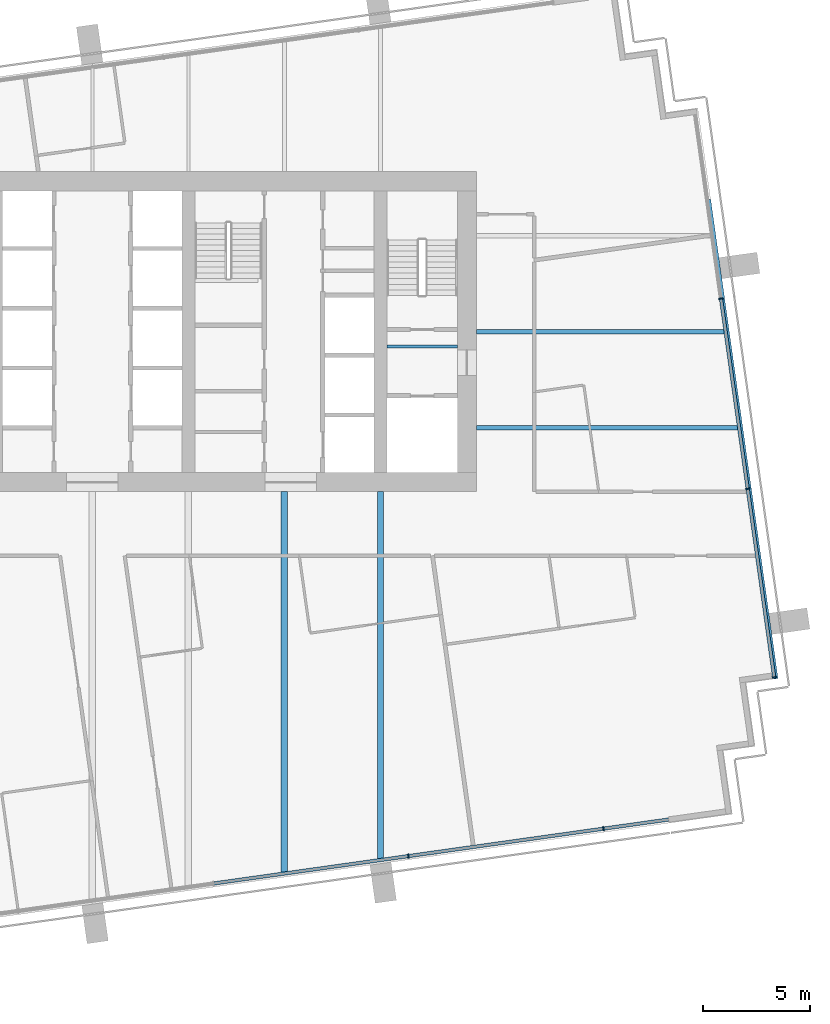
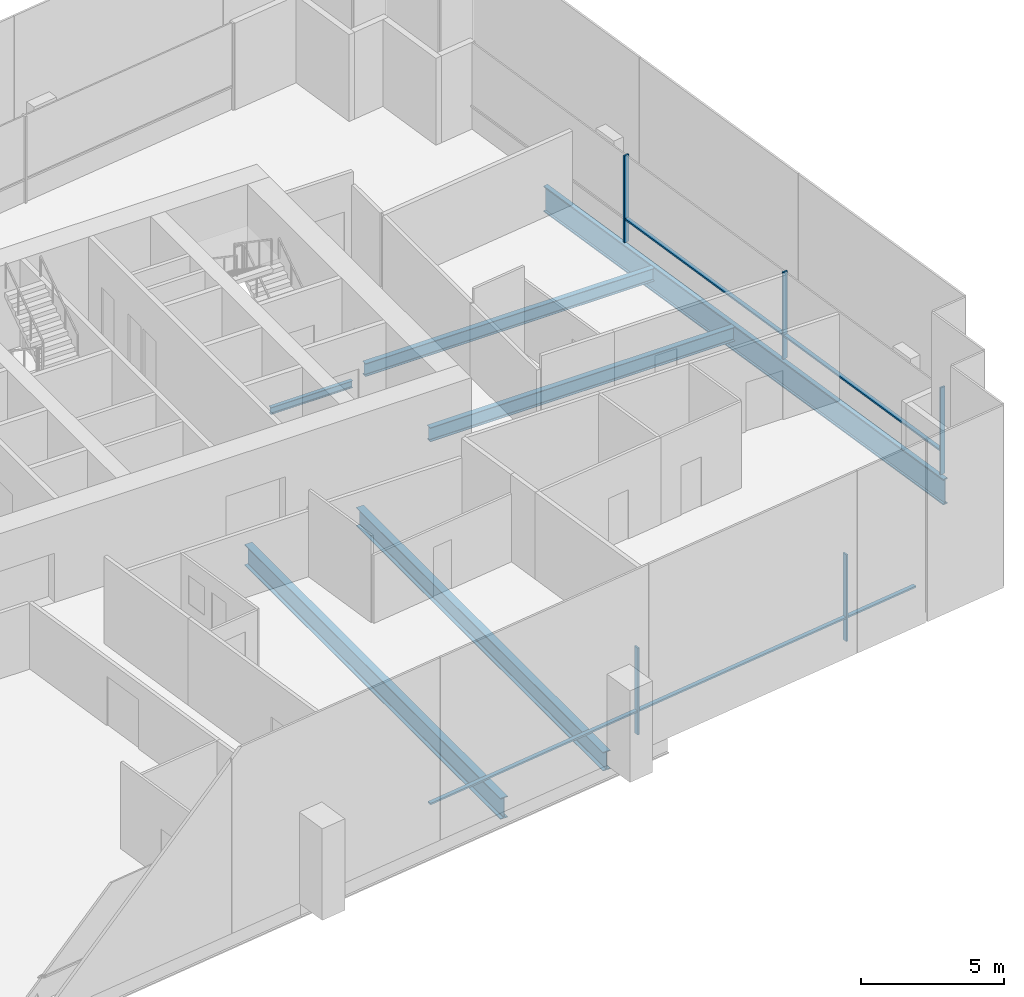
# One storey, part 5 of 17: 10 members, 6 beams, 2 elements without a shape of their own.
"""IFC4 building model written with IfcOpenShell, lengths in metres."""

from ifc_helpers import new_model, si_unit, direction, frame, origin, origin_2d, place, context, subcontext, project, spatial, rectangle, i_section, extrude, material, layer, layer_set, material_profile, profile_set, type_object, element, aggregate, save


model = new_model("IFC4")

# Units and contexts
model_context = context("Model", 3, precision=1e-05, world=origin(), true_north=direction((0.0, 1.0)))
body_context = subcontext(model_context, "Body", "Model", "MODEL_VIEW")
ifc_project = project(units=[si_unit("LENGTHUNIT", "METRE"), si_unit("AREAUNIT", "SQUARE_METRE"), si_unit("VOLUMEUNIT", "CUBIC_METRE"), si_unit("PLANEANGLEUNIT", "RADIAN"), si_unit("MASSUNIT", "GRAM", prefix="KILO")], contexts=[model_context])

# Site, building, storey
site_placement = place(None, origin())
site = spatial("IfcSite", under=ifc_project, at=site_placement, CompositionType="ELEMENT")
building_placement = place(site_placement, origin())
building = spatial("IfcBuilding", under=site, at=building_placement, Name="Rattan Terrace Tower", CompositionType="ELEMENT")
storey_placement = place(building_placement, frame((0.0, 0.0, 225.199951171875)))
storey = spatial("IfcBuildingStorey", under=building, at=storey_placement, Name="L51", CompositionType="ELEMENT", Elevation=225.199951171875)

# Beams
ifc_material_1 = material(Name="Steel S460", Category="steel")
ifc_material_profile_1 = material_profile(ifc_material_1, i_section(OverallWidth=0.179931640625, OverallDepth=1.10009765625, WebThickness=0.01611328125, FlangeThickness=0.050048828125, at=origin_2d()), Name="PG 1100x180-16-50")
ifc_profile_set_1 = profile_set([ifc_material_profile_1], Name="Steel S460")
beam_type_1 = type_object("IfcBeamType", Name="Frame edge girder PG 1100x180-16-50", PredefinedType="SPANDREL", material=ifc_profile_set_1)
beam_1_placement = place(storey_placement, frame((28.883056640625, 6.18505859375, -0.75), z_axis=(0.139138162292, -0.990272978423, 0.0), x_axis=(0.990272978423, 0.139138162292, 0.0)))
element("IfcBeam", 1, at=beam_1_placement, inside=storey, type_object=beam_type_1, Name="gdr-L51-004", PredefinedType="SPANDREL", context=body_context, shape_type="SweptSolid", body=[
    extrude(i_section(OverallWidth=0.179931640625, OverallDepth=1.10009765625, WebThickness=0.01611328125, FlangeThickness=0.050048828125, at=origin_2d()), origin(), (0.0, 0.0, 1.0), 22.66845703125),
])
ifc_material_2 = material(Name="Steel S355", Category="steel")
ifc_material_profile_2 = material_profile(ifc_material_2, i_section(OverallWidth=0.300048828125, OverallDepth=0.800048828125, WebThickness=0.017578125, FlangeThickness=0.032958984375, FilletRadius=0.030029296875, at=origin_2d()), Name="HE 800 B")
ifc_profile_set_2 = profile_set([ifc_material_profile_2], Name="Steel S355")
beam_type_2 = type_object("IfcBeamType", Name="Frame floor beam HE 800 B", PredefinedType="JOIST", material=ifc_profile_set_2)
beam_2_placement = place(storey_placement, frame((13.5, -24.72509765625, -0.599853515625), z_axis=(0.0, 1.0, 0.0), x_axis=(-1.0, 0.0, 0.0)))
element("IfcBeam", 2, at=beam_2_placement, inside=storey, type_object=beam_type_2, Name="bm-L51-008", PredefinedType="JOIST", context=body_context, shape_type="SweptSolid", body=[
    extrude(i_section(OverallWidth=0.300048828125, OverallDepth=0.800048828125, WebThickness=0.017578125, FlangeThickness=0.032958984375, FilletRadius=0.030029296875, at=origin_2d()), origin(), (0.0, 0.0, 1.0), 17.22509765625),
])
ifc_material_3 = material(Name="Steel S355", Category="steel")
ifc_material_profile_3 = material_profile(ifc_material_3, i_section(OverallWidth=0.300048828125, OverallDepth=0.89990234375, WebThickness=0.0185546875, FlangeThickness=0.034912109375, FilletRadius=0.030029296875, at=origin_2d()), Name="HE 900 B")
ifc_profile_set_3 = profile_set([ifc_material_profile_3], Name="Steel S355")
beam_type_3 = type_object("IfcBeamType", Name="Frame floor beam HE 900 B", PredefinedType="JOIST", material=ifc_profile_set_3)
beam_3_placement = place(storey_placement, frame((9.0, -25.35693359375, -0.64990234375), z_axis=(0.0, 1.0, 0.0), x_axis=(-1.0, 0.0, 0.0)))
element("IfcBeam", 3, at=beam_3_placement, inside=storey, type_object=beam_type_3, Name="bm-L51-007", PredefinedType="JOIST", context=body_context, shape_type="SweptSolid", body=[
    extrude(i_section(OverallWidth=0.300048828125, OverallDepth=0.89990234375, WebThickness=0.0185546875, FlangeThickness=0.034912109375, FilletRadius=0.030029296875, at=origin_2d()), origin(), (0.0, 0.0, 1.0), 17.85693359375),
])
ifc_material_4 = material(Name="Steel S355", Category="steel")
ifc_material_profile_4 = material_profile(ifc_material_4, i_section(OverallWidth=0.14990234375, OverallDepth=0.300048828125, WebThickness=0.007080078125, FlangeThickness=0.0107421875, FilletRadius=0.014892578125, at=origin_2d()), Name="IPE 300")
ifc_profile_set_4 = profile_set([ifc_material_profile_4], Name="Steel S355")
beam_type_4 = type_object("IfcBeamType", Name="Frame floor beam IPE 300", PredefinedType="JOIST", material=ifc_profile_set_4)
beam_4_placement = place(storey_placement, frame((13.800048828125, -0.695068359375, -0.349853515625), z_axis=(1.0, 0.0, 0.0), x_axis=(0.0, 1.0, 0.0)))
element("IfcBeam", 4, at=beam_4_placement, inside=storey, type_object=beam_type_4, Name="bm-L51-002", PredefinedType="JOIST", context=body_context, shape_type="SweptSolid", body=[
    extrude(i_section(OverallWidth=0.14990234375, OverallDepth=0.300048828125, WebThickness=0.007080078125, FlangeThickness=0.0107421875, FilletRadius=0.014892578125, at=origin_2d()), origin(), (0.0, 0.0, 1.0), 3.300048828125),
])
ifc_material_5 = material(Name="Steel S355", Category="steel")
ifc_material_profile_5 = material_profile(ifc_material_5, i_section(OverallWidth=0.2099609375, OverallDepth=0.550048828125, WebThickness=0.010986328125, FlangeThickness=0.01708984375, FilletRadius=0.02392578125, at=origin_2d()), Name="IPE 550")
ifc_profile_set_5 = profile_set([ifc_material_profile_5], Name="Steel S355")
beam_type_5 = type_object("IfcBeamType", Name="Frame floor beam IPE 550", PredefinedType="JOIST", material=ifc_profile_set_5)
beam_5_placement = place(storey_placement, frame((18.0, 0.0, -0.474853515625), z_axis=(1.0, 0.0, 0.0), x_axis=(0.0, 1.0, 0.0)))
element("IfcBeam", 5, at=beam_5_placement, inside=storey, type_object=beam_type_5, Name="bm-L51-012", PredefinedType="JOIST", context=body_context, shape_type="SweptSolid", body=[
    extrude(i_section(OverallWidth=0.2099609375, OverallDepth=0.550048828125, WebThickness=0.010986328125, FlangeThickness=0.01708984375, FilletRadius=0.02392578125, at=origin_2d()), origin(), (0.0, 0.0, 1.0), 11.64599609375),
])
ifc_material_6 = material(Name="Steel S355", Category="steel")
ifc_material_profile_6 = material_profile(ifc_material_6, i_section(OverallWidth=0.219970703125, OverallDepth=0.60009765625, WebThickness=0.011962890625, FlangeThickness=0.01904296875, FilletRadius=0.02392578125, at=origin_2d()), Name="IPE 600")
ifc_profile_set_6 = profile_set([ifc_material_profile_6], Name="Steel S355")
beam_type_6 = type_object("IfcBeamType", Name="Frame floor beam IPE 600", PredefinedType="JOIST", material=ifc_profile_set_6)
beam_6_placement = place(storey_placement, frame((18.0, -4.5, -0.5), z_axis=(1.0, 0.0, 0.0), x_axis=(0.0, 1.0, 0.0)))
element("IfcBeam", 6, at=beam_6_placement, inside=storey, type_object=beam_type_6, Name="bm-L51-010", PredefinedType="JOIST", context=body_context, shape_type="SweptSolid", body=[
    extrude(i_section(OverallWidth=0.219970703125, OverallDepth=0.60009765625, WebThickness=0.011962890625, FlangeThickness=0.01904296875, FilletRadius=0.02392578125, at=origin_2d()), origin(), (0.0, 0.0, 1.0), 12.278076171875),
])

# Curtain wall, members
ifc_material_7 = material(Name="Aluminium and laminated glass", Category="aluminium")
ifc_layer = layer(ifc_material_7, 0.199951171875)
ifc_layer_set = layer_set([ifc_layer], Name="High-Zone Unitised Curtain Wall")
curtain_wall_type = type_object("IfcCurtainWallType", Name="High-Zone Unitised Curtain Wall", PredefinedType="NOTDEFINED", material=ifc_layer_set)
curtain_wall_1_placement = place(storey_placement, origin())
curtain_wall_1 = element("IfcCurtainWall", 7, at=curtain_wall_1_placement, inside=storey, type_object=curtain_wall_type, Name="High-zone curtain wall L51-1", PredefinedType="NOTDEFINED")
ifc_material_8 = material(Name="Aluminium", Category="aluminium")
ifc_material_profile_7 = material_profile(ifc_material_8, rectangle(XDim=0.070068359375, YDim=0.199951171875, at=origin_2d()), Name="Aluminium 70x200")
ifc_profile_set_7 = profile_set([ifc_material_profile_7], Name="Aluminium")
member_type_1 = type_object("IfcMemberType", Name="High-Zone CW Mullion 70x200", PredefinedType="MULLION", material=ifc_profile_set_7)
member_1_placement = place(storey_placement, frame((31.946533203125, -16.1943359375, 0.0), z_axis=(0.0, 0.0, 1.0), x_axis=(-0.139186165309, 0.990266232579, 0.0)))
member_1 = element("IfcMember", 8, at=member_1_placement, type_object=member_type_1, Name="Mullion cwl-L51-001.1", PredefinedType="MULLION", context=body_context, shape_type="SweptSolid", body=[
    extrude(rectangle(XDim=0.070068359375, YDim=0.199951171875, at=origin_2d()), origin(), (0.0, 0.0, 1.0), 3.699951171875),
])
member_2_placement = place(storey_placement, frame((30.705078125, -7.361328125, 0.0), z_axis=(0.0, 0.0, 1.0), x_axis=(-0.139186165309, 0.990266232579, 0.0)))
member_2 = element("IfcMember", 9, at=member_2_placement, type_object=member_type_1, Name="Mullion cwl-L51-001.2", PredefinedType="MULLION", context=body_context, shape_type="SweptSolid", body=[
    extrude(rectangle(XDim=0.070068359375, YDim=0.199951171875, at=origin_2d()), origin(), (0.0, 0.0, 1.0), 3.699951171875),
])
member_3_placement = place(storey_placement, frame((29.452392578125, 1.551025390625, 0.0), z_axis=(0.0, 0.0, 1.0), x_axis=(-0.139186165309, 0.990266232579, 0.0)))
member_3 = element("IfcMember", 10, at=member_3_placement, type_object=member_type_1, Name="Mullion cwl-L51-001.3", PredefinedType="MULLION", context=body_context, shape_type="SweptSolid", body=[
    extrude(rectangle(XDim=0.070068359375, YDim=0.199951171875, at=origin_2d()), origin(), (0.0, 0.0, 1.0), 3.699951171875),
])

curtain_wall_2_placement = place(storey_placement, origin())
curtain_wall_2 = element("IfcCurtainWall", 11, at=curtain_wall_2_placement, inside=storey, type_object=curtain_wall_type, Name="High-zone curtain wall L51-4", PredefinedType="NOTDEFINED")
member_4_placement = place(storey_placement, frame((14.808837890625, -24.571533203125, 0.0), z_axis=(0.0, 0.0, 1.0), x_axis=(0.990267457022, 0.139177453499, 0.0)))
member_4 = element("IfcMember", 12, at=member_4_placement, type_object=member_type_1, Name="Mullion cwl-L51-004.4", PredefinedType="MULLION", context=body_context, shape_type="SweptSolid", body=[
    extrude(rectangle(XDim=0.070068359375, YDim=0.199951171875, at=origin_2d()), origin(), (0.0, 0.0, 1.0), 3.699951171875),
])
member_5_placement = place(storey_placement, frame((23.949951171875, -23.28662109375, 0.0), z_axis=(0.0, 0.0, 1.0), x_axis=(0.990267457022, 0.139177453499, 0.0)))
member_5 = element("IfcMember", 13, at=member_5_placement, type_object=member_type_1, Name="Mullion cwl-L51-004.5", PredefinedType="MULLION", context=body_context, shape_type="SweptSolid", body=[
    extrude(rectangle(XDim=0.070068359375, YDim=0.199951171875, at=origin_2d()), origin(), (0.0, 0.0, 1.0), 3.699951171875),
])

# Member
ifc_material_9 = material(Name="Aluminium", Category="aluminium")
ifc_material_profile_8 = material_profile(ifc_material_9, rectangle(XDim=0.159912109375, YDim=0.070068359375, at=origin_2d()), Name="Aluminium 160x70")
ifc_profile_set_8 = profile_set([ifc_material_profile_8], Name="Aluminium")
member_type_2 = type_object("IfcMemberType", Name="High-Zone CW Transom 160x70", PredefinedType="USERDEFINED", material=ifc_profile_set_8)
member_6_placement = place(storey_placement, frame((31.941650390625, -16.159912109375, 1.0), z_axis=(-0.139173253985, 0.990268047235, 0.0), x_axis=(-0.990268047235, -0.139173253985, 0.0)))
member_6 = element("IfcMember", 14, at=member_6_placement, type_object=member_type_2, Name="Transom cwl-L51-001.1", ObjectType="TRANSOM", PredefinedType="USERDEFINED", context=body_context, shape_type="SweptSolid", body=[
    extrude(rectangle(XDim=0.159912109375, YDim=0.070068359375, at=origin_2d()), origin(), (0.0, 0.0, 1.0), 8.85009765625),
])

member_7_placement = place(storey_placement, frame((30.7001953125, -7.32666015625, 1.0), z_axis=(-0.139185713085, 0.990266296141, 0.0), x_axis=(-0.990266296141, -0.139185713085, 0.0)))
member_7 = element("IfcMember", 15, at=member_7_placement, type_object=member_type_2, Name="Transom cwl-L51-001.2", ObjectType="TRANSOM", PredefinedType="USERDEFINED", context=body_context, shape_type="SweptSolid", body=[
    extrude(rectangle(XDim=0.159912109375, YDim=0.070068359375, at=origin_2d()), origin(), (0.0, 0.0, 1.0), 8.929931640625),
])

aggregate(curtain_wall_1, [member_1, member_2, member_3, member_6, member_7])

member_8_placement = place(storey_placement, frame((5.702392578125, -25.851318359375, 1.0), z_axis=(0.990265190222, 0.139193581154, 0.0), x_axis=(-0.139193581154, 0.990265190222, 0.0)))
member_8 = element("IfcMember", 16, at=member_8_placement, type_object=member_type_2, Name="Transom cwl-L51-004.3", ObjectType="TRANSOM", PredefinedType="USERDEFINED", context=body_context, shape_type="SweptSolid", body=[
    extrude(rectangle(XDim=0.159912109375, YDim=0.070068359375, at=origin_2d()), origin(), (0.0, 0.0, 1.0), 9.160888671875),
])

member_9_placement = place(storey_placement, frame((14.843505859375, -24.566650390625, 1.0), z_axis=(0.990265190222, 0.139193581154, 0.0), x_axis=(-0.139193581154, 0.990265190222, 0.0)))
member_9 = element("IfcMember", 17, at=member_9_placement, type_object=member_type_2, Name="Transom cwl-L51-004.4", ObjectType="TRANSOM", PredefinedType="USERDEFINED", context=body_context, shape_type="SweptSolid", body=[
    extrude(rectangle(XDim=0.159912109375, YDim=0.070068359375, at=origin_2d()), origin(), (0.0, 0.0, 1.0), 9.160888671875),
])

member_10_placement = place(storey_placement, frame((23.984619140625, -23.28173828125, 1.0), z_axis=(0.990269723995, 0.139161322712, 0.0), x_axis=(-0.139161322712, 0.990269723995, 0.0)))
member_10 = element("IfcMember", 18, at=member_10_placement, type_object=member_type_2, Name="Transom cwl-L51-004.5", ObjectType="TRANSOM", PredefinedType="USERDEFINED", context=body_context, shape_type="SweptSolid", body=[
    extrude(rectangle(XDim=0.159912109375, YDim=0.070068359375, at=origin_2d()), origin(), (0.0, 0.0, 1.0), 3.040283203125),
])

aggregate(curtain_wall_2, [member_4, member_5, member_8, member_9, member_10])

save(model, "model.ifc")
